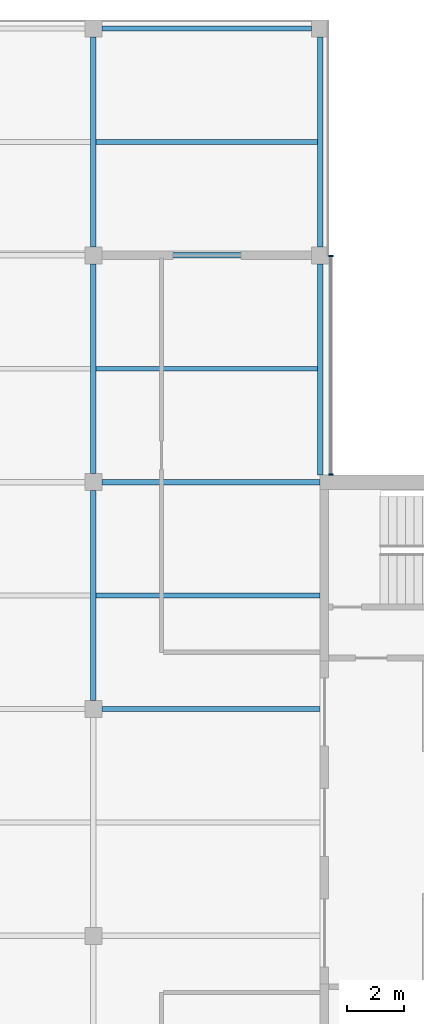
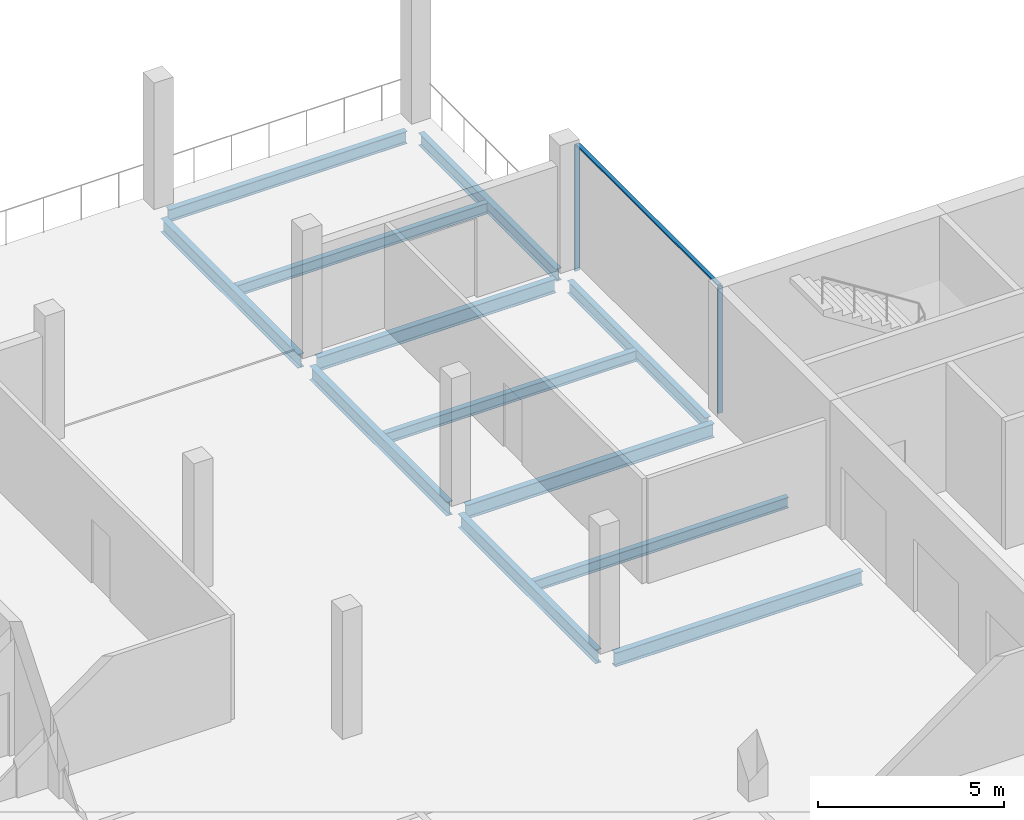
# One storey, part 6 of 12: 12 beams, 3 members, 1 element without a shape of its own.
"""IFC4 building model written with IfcOpenShell, lengths in metres."""

import ifcopenshell
import ifcopenshell.guid

model = None  # the IFC model being written
_history = None  # IfcOwnerHistory: only IFC2X3 demands one
_inside = {}  # id of a spatial element -> (the spatial element, [elements in it])
_under = {}  # id of a project, library or spatial element -> (it, [spatial elements below it])
_declared = {}  # id of a project -> (the project, [libraries it declares])
_typed = {}  # id of a type object -> (the type object, [elements of that type])
_made_of = {}  # id of a material, layer set ... -> (it, [elements and type objects made of it])


def new_model(schema):
    """Start an empty IFC model of exactly this schema.

    Asked for "IFC4X3", IfcOpenShell would pick the latest addendum, in which some entities
    have other attributes; the version numbers below select the first issue.
    IFC2X3 requires an IfcOwnerHistory on every rooted entity: one is made here for all.
    """
    global model, _history
    if schema == "IFC4X3":
        model = ifcopenshell.file(schema_version=(4, 3, 0, 0))
    else:
        model = ifcopenshell.file(schema=schema)
    _inside.clear()
    _under.clear()
    _declared.clear()
    _typed.clear()
    _made_of.clear()
    _history = None
    if model.schema == "IFC2X3":
        org = make("IfcOrganization", Name="unknown")
        user = make(
            "IfcPersonAndOrganization",
            ThePerson=make("IfcPerson", FamilyName="unknown"),
            TheOrganization=org,
        )
        app = make(
            "IfcApplication",
            ApplicationDeveloper=org,
            Version="unknown",
            ApplicationFullName="unknown",
            ApplicationIdentifier="unknown",
        )
        _history = make(
            "IfcOwnerHistory",
            OwningUser=user,
            OwningApplication=app,
            ChangeAction="ADDED",
            CreationDate=0,
        )
    return model


def make(cls, **values):
    """One entity of the class cls with the attributes given. An attribute that is None is left unset."""
    return model.create_entity(
        cls, **{name: value for name, value in values.items() if value is not None}
    )


def rooted(cls, **values):
    """An entity with a GlobalId (a new one), such as an element, a storey or a relation."""
    return make(cls, GlobalId=ifcopenshell.guid.new(), OwnerHistory=_history, **values)


def si_unit(unit_type, name, prefix=None):
    """IfcSIUnit, for example si_unit("LENGTHUNIT", "METRE", prefix="MILLI")."""
    return make("IfcSIUnit", UnitType=unit_type, Prefix=prefix, Name=name)


def assignment(units):
    """IfcUnitAssignment: the units of a project."""
    return None if units is None else make("IfcUnitAssignment", Units=units)


def point(xyz):
    """IfcCartesianPoint."""
    return None if xyz is None else make("IfcCartesianPoint", Coordinates=xyz)


def direction(xyz):
    """IfcDirection."""
    return None if xyz is None else make("IfcDirection", DirectionRatios=xyz)


def frame(location, z_axis=None, x_axis=None):
    """IfcAxis2Placement3D, a coordinate frame: its origin and axes. An axis left out is left unset."""
    return make(
        "IfcAxis2Placement3D",
        Location=point(location),
        Axis=direction(z_axis),
        RefDirection=direction(x_axis),
    )


def frame_2d(location, x_axis=None):
    """IfcAxis2Placement2D, a coordinate frame in the plane: its origin and x axis."""
    return make(
        "IfcAxis2Placement2D", Location=point(location), RefDirection=direction(x_axis)
    )


def origin():
    """The frame at (0, 0, 0) with its axes left unset."""
    return frame((0.0, 0.0, 0.0))


def origin_2d():
    """The frame at (0, 0) in the plane with its x axis left unset."""
    return frame_2d((0.0, 0.0))


def place(relative_to, where):
    """IfcLocalPlacement: puts the frame where relative to a parent placement (None: the world)."""
    return make(
        "IfcLocalPlacement", PlacementRelTo=relative_to, RelativePlacement=where
    )


def context(
    kind, dimensions, precision=None, world=None, true_north=None, identifier=None
):
    """IfcGeometricRepresentationContext, for example the 3D "Model" context."""
    return make(
        "IfcGeometricRepresentationContext",
        ContextIdentifier=identifier,
        ContextType=kind,
        CoordinateSpaceDimension=dimensions,
        Precision=precision,
        WorldCoordinateSystem=world,
        TrueNorth=true_north,
    )


def subcontext(parent, identifier, kind, view, scale=None):
    """IfcGeometricRepresentationSubContext, for example "Body" below "Model"."""
    return make(
        "IfcGeometricRepresentationSubContext",
        ContextIdentifier=identifier,
        ContextType=kind,
        ParentContext=parent,
        TargetScale=scale,
        TargetView=view,
    )


def project(units=None, contexts=None):
    """IfcProject with its units and contexts."""
    return rooted(
        "IfcProject",
        Name="project",
        RepresentationContexts=contexts,
        UnitsInContext=assignment(units),
    )


def spatial(cls, under=None, at=None, **own):
    """A site, building, storey or space (cls), placed at a placement, below another one or the project."""
    s = rooted(cls, ObjectPlacement=at, **own)
    if under is not None:
        _under.setdefault(under.id(), (under, []))[1].append(s)
    return s


def profile(cls, at=None, kind="AREA", **sizes):
    """A parametric profile (cls). Its sizes go by their IFC names, for example OverallWidth=200.0."""
    return make(cls, ProfileType=kind, Position=at, **sizes)


def rectangle(**sizes):
    """IfcRectangleProfileDef."""
    return profile("IfcRectangleProfileDef", **sizes)


def i_section(**sizes):
    """IfcIShapeProfileDef."""
    return profile("IfcIShapeProfileDef", **sizes)


def extrude(swept, where, along, depth):
    """IfcExtrudedAreaSolid: the profile swept, set in the frame where, extruded along a direction by depth."""
    return make(
        "IfcExtrudedAreaSolid",
        SweptArea=swept,
        Position=where,
        ExtrudedDirection=direction(along),
        Depth=depth,
    )


def shape(context_of_items, identifier, shape_type, items):
    """IfcShapeRepresentation: the items that make up one representation, for example the "Body"."""
    return make(
        "IfcShapeRepresentation",
        ContextOfItems=context_of_items,
        RepresentationIdentifier=identifier,
        RepresentationType=shape_type,
        Items=items,
    )


def material(Name=None, Category=None):
    """IfcMaterial."""
    return make("IfcMaterial", Name=Name, Category=Category)


def material_profile(
    of_material, cross_section, Name=None, Category=None, Priority=None
):
    """IfcMaterialProfile: a cross section and its material."""
    return make(
        "IfcMaterialProfile",
        Name=Name,
        Material=of_material,
        Profile=cross_section,
        Priority=Priority,
        Category=Category,
    )


def profile_set(profiles, Name=None, composite=None):
    """IfcMaterialProfileSet."""
    return make(
        "IfcMaterialProfileSet",
        Name=Name,
        MaterialProfiles=profiles,
        CompositeProfile=composite,
    )


def made_of(thing, what):
    """Note that an element or type object is made of a material, layer set ...; save() writes the relation."""
    if what is not None:
        _made_of.setdefault(what.id(), (what, []))[1].append(thing)
    return thing


def type_object(cls, material=None, **own):
    """A type object (cls), such as IfcWallType, which elements share."""
    return made_of(rooted(cls, **own), material)


def element(
    cls,
    number,
    at=None,
    inside=None,
    cuts=None,
    type_object=None,
    material=None,
    context=None,
    identifier="Body",
    shape_type=None,
    held_by="IfcProductDefinitionShape",
    body=None,
    shapes=None,
    **own,
):
    """One element of the class cls, such as IfcWall. Its Tag is "e" and its number.

    at: its placement. inside: the storey or other place that contains it. cuts: it is an
    opening in that element (IfcRelVoidsElement). A single representation is given by context,
    identifier, shape_type and body (its items); several are given by shapes. held_by: the class
    of the entity that holds the representations. save() writes the other relations.
    """
    e = rooted(cls, Tag="e%d" % number, ObjectPlacement=at, **own)
    if body is not None:
        shapes = [shape(context, identifier, shape_type, body)]
    if shapes is not None:
        e.Representation = make(held_by, Representations=shapes)
    if inside is not None:
        _inside.setdefault(inside.id(), (inside, []))[1].append(e)
    if cuts is not None:
        rooted(
            "IfcRelVoidsElement", RelatingBuildingElement=cuts, RelatedOpeningElement=e
        )
    if type_object is not None:
        _typed.setdefault(type_object.id(), (type_object, []))[1].append(e)
    return made_of(e, material)


def aggregate(whole, parts):
    """IfcRelAggregates: a whole, such as a stair, and the parts it consists of."""
    return rooted("IfcRelAggregates", RelatingObject=whole, RelatedObjects=parts)


def save(model, path):
    """Write the relations noted so far, then the file.

    IfcRelAggregates (storeys below a building ...), IfcRelContainedInSpatialStructure (elements
    in a storey), IfcRelDefinesByType, IfcRelAssociatesMaterial and IfcRelDeclares: one each for
    every whole, place, type object, material and project.
    """
    for whole, parts in _under.values():
        aggregate(whole, parts)
    for where, things in _inside.values():
        rooted(
            "IfcRelContainedInSpatialStructure",
            RelatedElements=things,
            RelatingStructure=where,
        )
    for kind, things in _typed.values():
        rooted("IfcRelDefinesByType", RelatedObjects=things, RelatingType=kind)
    for what, things in _made_of.values():
        rooted("IfcRelAssociatesMaterial", RelatedObjects=things, RelatingMaterial=what)
    for by, libraries in _declared.values():
        rooted("IfcRelDeclares", RelatingContext=by, RelatedDefinitions=libraries)
    model.write(path)


model = new_model("IFC4")

# Units and contexts
model_context = context("Model", 3, precision=1e-05, world=origin(), true_north=direction((0.0, 1.0)))
body_context = subcontext(model_context, "Body", "Model", "MODEL_VIEW")
ifc_project = project(units=[si_unit("LENGTHUNIT", "METRE"), si_unit("AREAUNIT", "SQUARE_METRE"), si_unit("VOLUMEUNIT", "CUBIC_METRE"), si_unit("PLANEANGLEUNIT", "RADIAN"), si_unit("MASSUNIT", "GRAM", prefix="KILO")], contexts=[model_context])

# Site, building, storey
site_placement = place(None, origin())
site = spatial("IfcSite", under=ifc_project, at=site_placement, CompositionType="ELEMENT")
building_placement = place(site_placement, origin())
building = spatial("IfcBuilding", under=site, at=building_placement, Name="Crosswind Convention Tower", CompositionType="ELEMENT")
storey_placement = place(building_placement, frame((0.0, 0.0, 332.300048828125)))
storey = spatial("IfcBuildingStorey", under=building, at=storey_placement, Name="L72", CompositionType="ELEMENT", Elevation=332.300048828125)

# Beams
ifc_material_1 = material(Name="Steel S355", Category="steel")
ifc_material_profile_1 = material_profile(ifc_material_1, i_section(OverallWidth=0.177734375, OverallDepth=0.406494140625, WebThickness=0.0078125, FlangeThickness=0.0126953125, FilletRadius=0.01025390625, at=origin_2d()), Name="UB 406x178x60")
ifc_profile_set_1 = profile_set([ifc_material_profile_1], Name="Steel S355")
beam_type_1 = type_object("IfcBeamType", Name="Edge beam UB 406x178x60", PredefinedType="SPANDREL", material=ifc_profile_set_1)
beam_1_placement = place(storey_placement, frame((129.300048828125, 128.0, -0.503173828125), z_axis=(1.0, 0.0, 0.0), x_axis=(0.0, 1.0, 0.0)))
element("IfcBeam", 1, at=beam_1_placement, inside=storey, type_object=beam_type_1, Name="B15 L72 edge beam 10", PredefinedType="SPANDREL", context=body_context, shape_type="SweptSolid", body=[
    extrude(i_section(OverallWidth=0.177734375, OverallDepth=0.406494140625, WebThickness=0.0078125, FlangeThickness=0.0126953125, FilletRadius=0.01025390625, at=origin_2d()), origin(), (0.0, 0.0, 1.0), 7.39990234375),
])
beam_2_placement = place(storey_placement, frame((137.0, 112.25, -0.503173828125), z_axis=(0.0, 1.0, 0.0), x_axis=(-1.0, 0.0, 0.0)))
element("IfcBeam", 2, at=beam_2_placement, inside=storey, type_object=beam_type_1, Name="B15 L72 edge beam 13", PredefinedType="SPANDREL", context=body_context, shape_type="SweptSolid", body=[
    extrude(i_section(OverallWidth=0.177734375, OverallDepth=0.406494140625, WebThickness=0.0078125, FlangeThickness=0.0126953125, FilletRadius=0.01025390625, at=origin_2d()), origin(), (0.0, 0.0, 1.0), 7.449951171875),
])
beam_3_placement = place(storey_placement, frame((137.0, 120.300048828125, -0.503173828125), z_axis=(0.0, 1.0, 0.0), x_axis=(-1.0, 0.0, 0.0)))
element("IfcBeam", 3, at=beam_3_placement, inside=storey, type_object=beam_type_1, Name="B15 L72 edge beam 14", PredefinedType="SPANDREL", context=body_context, shape_type="SweptSolid", body=[
    extrude(i_section(OverallWidth=0.177734375, OverallDepth=0.406494140625, WebThickness=0.0078125, FlangeThickness=0.0126953125, FilletRadius=0.01025390625, at=origin_2d()), origin(), (0.0, 0.0, 1.0), 7.39990234375),
])
ifc_material_profile_2 = material_profile(ifc_material_1, i_section(OverallWidth=0.18994140625, OverallDepth=0.45361328125, WebThickness=0.008544921875, FlangeThickness=0.0126953125, FilletRadius=0.01025390625, at=origin_2d()), Name="UB 457x191x67")
ifc_profile_set_2 = profile_set([ifc_material_profile_2], Name="Steel S355")
beam_type_2 = type_object("IfcBeamType", Name="Girder UB 457x191x67", PredefinedType="BEAM", material=ifc_profile_set_2)
for number, where, z_axis, x_axis, name in (
    (4, (129.0, 104.300048828125, -0.52685546875), (0.0, 1.0, 0.0), (-1.0, 0.0, 0.0), "B1 L72 girder 20"),
    (5, (129.0, 112.300048828125, -0.52685546875), (0.0, 1.0, 0.0), (-1.0, 0.0, 0.0), "B1 L72 girder 21"),
    (6, (129.0, 120.300048828125, -0.52685546875), (0.0, 1.0, 0.0), (-1.0, 0.0, 0.0), "B1 L72 girder 22"),
    (7, (129.300048828125, 120.0, -0.52685546875), (1.0, 0.0, 0.0), (0.0, 1.0, 0.0), "B1 L72 girder 24"),
):
    element("IfcBeam", number, at=place(storey_placement, frame(where, z_axis=z_axis, x_axis=x_axis)), inside=storey, type_object=beam_type_2, Name=name, PredefinedType="BEAM", context=body_context, shape_type="SweptSolid", body=[
        extrude(i_section(OverallWidth=0.18994140625, OverallDepth=0.45361328125, WebThickness=0.008544921875, FlangeThickness=0.0126953125, FilletRadius=0.01025390625, at=origin_2d()), origin(), (0.0, 0.0, 1.0), 7.39990234375),
    ])
ifc_material_profile_3 = material_profile(ifc_material_1, i_section(OverallWidth=0.1904296875, OverallDepth=0.457275390625, WebThickness=0.009033203125, FlangeThickness=0.014404296875, FilletRadius=0.01025390625, at=origin_2d()), Name="UB 457x191x75")
ifc_profile_set_3 = profile_set([ifc_material_profile_3], Name="Steel S355")
beam_type_3 = type_object("IfcBeamType", Name="Girder at core wall UB 457x191x75", PredefinedType="BEAM", material=ifc_profile_set_3)
for number, where, z_axis, x_axis, name in (
    (8, (129.300048828125, 104.0, -0.528564453125), (1.0, 0.0, 0.0), (0.0, 1.0, 0.0), "B22 L72 girder at core wall 7"),
    (9, (129.300048828125, 112.0, -0.528564453125), (1.0, 0.0, 0.0), (0.0, 1.0, 0.0), "B22 L72 girder at core wall 8"),
):
    element("IfcBeam", number, at=place(storey_placement, frame(where, z_axis=z_axis, x_axis=x_axis)), inside=storey, type_object=beam_type_3, Name=name, PredefinedType="BEAM", context=body_context, shape_type="SweptSolid", body=[
        extrude(i_section(OverallWidth=0.1904296875, OverallDepth=0.457275390625, WebThickness=0.009033203125, FlangeThickness=0.014404296875, FilletRadius=0.01025390625, at=origin_2d()), origin(), (0.0, 0.0, 1.0), 7.699951171875),
    ])

# Curtain wall, members
ifc_material_2 = material(Name="Aluminium unitised curtain wall", Category="aluminium")
curtain_wall_type = type_object("IfcCurtainWallType", Name="CORE END SLOT WALL 160", PredefinedType="USERDEFINED", material=ifc_material_2)
curtain_wall_placement = place(storey_placement, origin())
curtain_wall = element("IfcCurtainWall", 10, at=curtain_wall_placement, inside=storey, type_object=curtain_wall_type, Name="CW6 L72 N-E.1-1 slot", ObjectType="UNITISED", PredefinedType="USERDEFINED")
ifc_material_3 = material(Name="Aluminium mullion", Category="aluminium")
ifc_material_profile_4 = material_profile(ifc_material_3, rectangle(XDim=0.159912109375, YDim=0.050048828125, at=origin_2d()), Name="AL 160X50")
ifc_profile_set_4 = profile_set([ifc_material_profile_4], Name="Aluminium mullion")
member_type_1 = type_object("IfcMemberType", Name="MULLION 50X160", PredefinedType="MULLION", material=ifc_profile_set_4)
member_1_placement = place(storey_placement, frame((137.3798828125, 112.27490234375, -0.300048828125), z_axis=(0.0, 0.0, 1.0), x_axis=(1.0, 0.0, 0.0)))
member_1 = element("IfcMember", 11, at=member_1_placement, type_object=member_type_1, Name="CW6 mullion 1", PredefinedType="MULLION", context=body_context, shape_type="SweptSolid", body=[
    extrude(rectangle(XDim=0.159912109375, YDim=0.050048828125, at=origin_2d()), origin(), (0.0, 0.0, 1.0), 4.14990234375),
])
member_2_placement = place(storey_placement, frame((137.3798828125, 119.97509765625, -0.300048828125), z_axis=(0.0, 0.0, 1.0), x_axis=(1.0, 0.0, 0.0)))
member_2 = element("IfcMember", 12, at=member_2_placement, type_object=member_type_1, Name="CW6 mullion 2", PredefinedType="MULLION", context=body_context, shape_type="SweptSolid", body=[
    extrude(rectangle(XDim=0.159912109375, YDim=0.050048828125, at=origin_2d()), origin(), (0.0, 0.0, 1.0), 4.14990234375),
])

# Beams
ifc_material_profile_5 = material_profile(ifc_material_1, i_section(OverallWidth=0.17138671875, OverallDepth=0.355712890625, WebThickness=0.00732421875, FlangeThickness=0.011474609375, FilletRadius=0.01025390625, at=origin_2d()), Name="UB 356x171x51")
ifc_profile_set_5 = profile_set([ifc_material_profile_5], Name="Steel S355")
beam_type_4 = type_object("IfcBeamType", Name="Secondary beam UB 356x171x51", PredefinedType="JOIST", material=ifc_profile_set_5)
beam_4_placement = place(storey_placement, frame((129.094970703125, 108.0, -0.477783203125), z_axis=(1.0, 0.0, 0.0), x_axis=(0.0, 1.0, 0.0)))
element("IfcBeam", 13, at=beam_4_placement, inside=storey, type_object=beam_type_4, Name="B8 L72 secondary beam 19", PredefinedType="JOIST", context=body_context, shape_type="SweptSolid", body=[
    extrude(i_section(OverallWidth=0.17138671875, OverallDepth=0.355712890625, WebThickness=0.00732421875, FlangeThickness=0.011474609375, FilletRadius=0.01025390625, at=origin_2d()), origin(), (0.0, 0.0, 1.0), 7.905029296875),
])
for number, where, z_axis, x_axis, name in (
    (14, (129.094970703125, 116.0, -0.477783203125), (1.0, 0.0, 0.0), (0.0, 1.0, 0.0), "B8 L72 secondary beam 20"),
    (15, (129.094970703125, 124.0, -0.477783203125), (1.0, 0.0, 0.0), (0.0, 1.0, 0.0), "B8 L72 secondary beam 21"),
):
    element("IfcBeam", number, at=place(storey_placement, frame(where, z_axis=z_axis, x_axis=x_axis)), inside=storey, type_object=beam_type_4, Name=name, PredefinedType="JOIST", context=body_context, shape_type="SweptSolid", body=[
        extrude(i_section(OverallWidth=0.17138671875, OverallDepth=0.355712890625, WebThickness=0.00732421875, FlangeThickness=0.011474609375, FilletRadius=0.01025390625, at=origin_2d()), origin(), (0.0, 0.0, 1.0), 7.816162109375),
    ])

# Member
ifc_material_4 = material(Name="Aluminium transom", Category="aluminium")
ifc_material_profile_6 = material_profile(ifc_material_4, rectangle(XDim=0.1201171875, YDim=0.050048828125, at=origin_2d()), Name="AL 120X50")
ifc_profile_set_6 = profile_set([ifc_material_profile_6], Name="Aluminium transom")
member_type_2 = type_object("IfcMemberType", Name="TRANSOM 50X120", PredefinedType="USERDEFINED", material=ifc_profile_set_6)
member_3_placement = place(storey_placement, frame((137.3798828125, 112.300048828125, 3.875), z_axis=(0.0, 1.0, 0.0), x_axis=(-1.0, 0.0, 0.0)))
member_3 = element("IfcMember", 16, at=member_3_placement, type_object=member_type_2, Name="CW6 transom", ObjectType="TRANSOM", PredefinedType="USERDEFINED", context=body_context, shape_type="SweptSolid", body=[
    extrude(rectangle(XDim=0.1201171875, YDim=0.050048828125, at=origin_2d()), origin(), (0.0, 0.0, 1.0), 7.64990234375),
])

aggregate(curtain_wall, [member_1, member_2, member_3])

save(model, "model.ifc")
